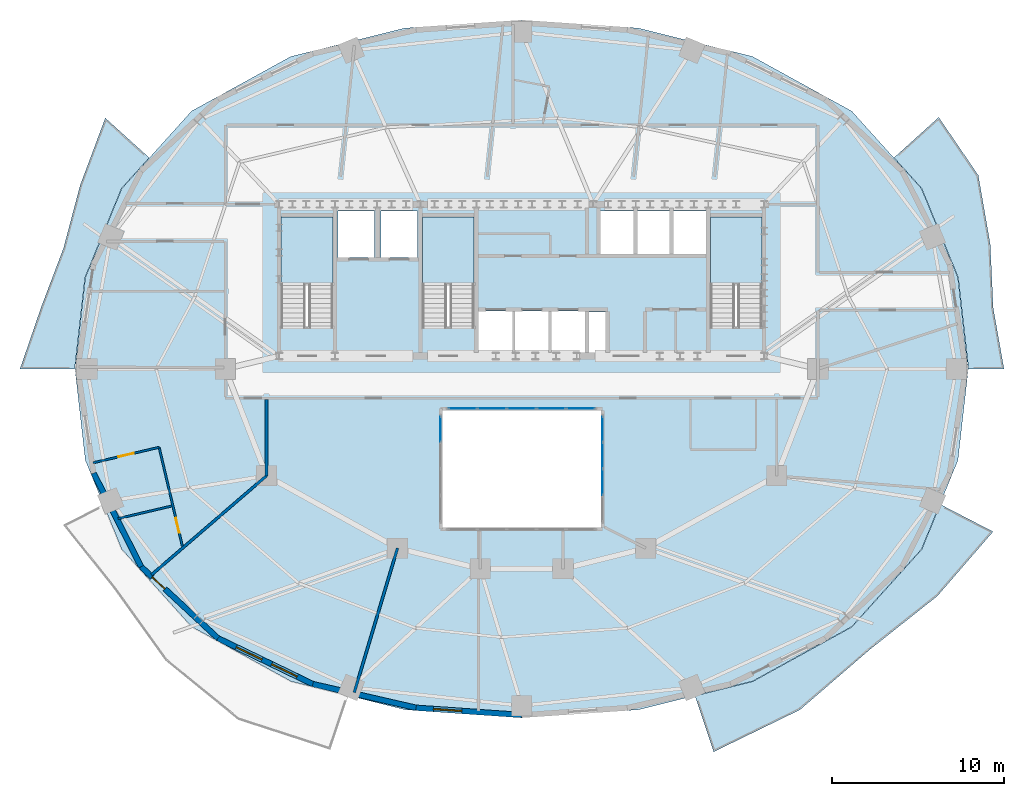
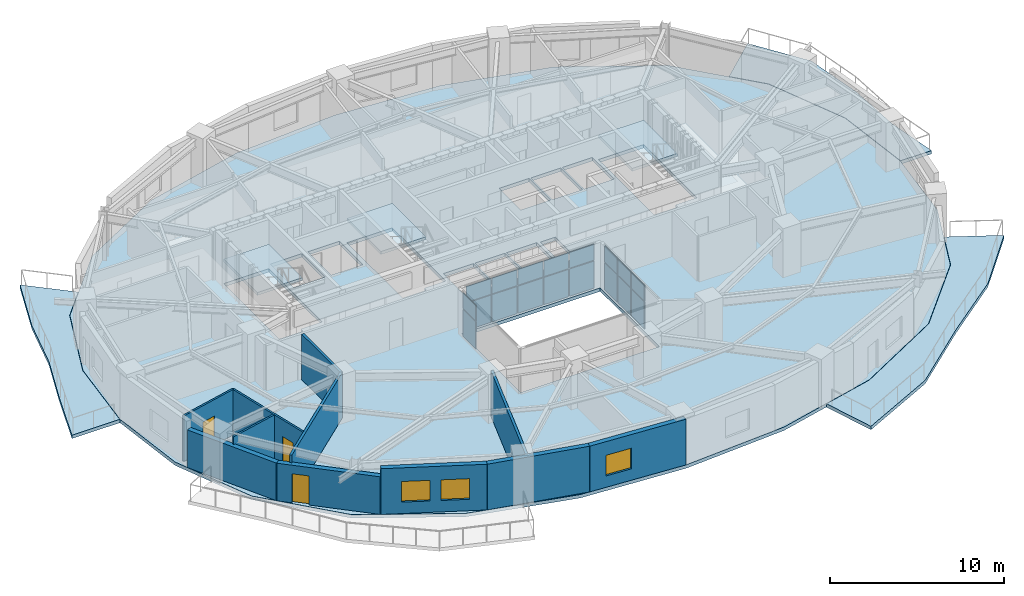
# One storey, part 5 of 13: 18 plates, 11 walls, 7 slabs, 3 doors, 3 windows, 6 openings, 6 elements without a shape of their own.
"""IFC4 building model written with IfcOpenShell, lengths in metres."""

from ifc_helpers import new_model, si_unit, direction, frame, frame_2d, origin, origin_2d, place, context, subcontext, project, spatial, polyline, rectangle, outline, extrude, material, layer, layer_set, type_object, element, fill, aggregate, save


model = new_model("IFC4")

# Units and contexts
model_context = context("Model", 3, precision=1e-05, world=origin(), true_north=direction((0.0, 1.0)))
body_context = subcontext(model_context, "Body", "Model", "MODEL_VIEW")
ifc_project = project(units=[si_unit("LENGTHUNIT", "METRE"), si_unit("AREAUNIT", "SQUARE_METRE"), si_unit("VOLUMEUNIT", "CUBIC_METRE"), si_unit("PLANEANGLEUNIT", "RADIAN"), si_unit("MASSUNIT", "GRAM", prefix="KILO")], contexts=[model_context])

# Site, building, storey
site_placement = place(None, origin())
site = spatial("IfcSite", under=ifc_project, at=site_placement, CompositionType="ELEMENT")
building_placement = place(site_placement, origin())
building = spatial("IfcBuilding", under=site, at=building_placement, Name="Haldorwick Loom Tower", CompositionType="ELEMENT")
storey_placement = place(building_placement, frame((0.0, 0.0, 178.60009765625)))
storey = spatial("IfcBuildingStorey", under=building, at=storey_placement, Name="L48", CompositionType="ELEMENT", Elevation=178.60009765625)

# Curtain wall, plates
ifc_material_1 = material(Name="Thermally Broken Anodized Aluminium Curtain Wall Framing", Category="aluminium")
curtain_wall_type = type_object("IfcCurtainWallType", Name="ARC-CW-03", PredefinedType="NOTDEFINED", material=ifc_material_1)
curtain_wall_1_placement = place(storey_placement, origin())
curtain_wall_1 = element("IfcCurtainWall", 1, at=curtain_wall_1_placement, inside=storey, type_object=curtain_wall_type, Name="L48 Atrium Glazed Screen N", PredefinedType="NOTDEFINED")
ifc_material_2 = material(Name="Triple-Glazed Low-E Argon Insulated Glazing Unit", Category="glass")
ifc_layer_1 = layer(ifc_material_2, 0.04296875, Name="Triple-Glazed Low-E Argon Insulated Glazing Unit", Category="glass")
ifc_layer_set_1 = layer_set([ifc_layer_1], Name="Triple-Glazed Low-E Argon Insulated Glazing Unit")
plate_type = type_object("IfcPlateType", Name="ARC-CWP-03", PredefinedType="CURTAIN_PANEL", material=ifc_layer_set_1)
plate_1_placement = place(storey_placement, frame((32.576416015625, 23.699951171875, 0.06591796875), z_axis=(0.0, 0.0, 1.0), x_axis=(1.0, 0.0, 0.0)))
plate_1 = element("IfcPlate", 2, at=plate_1_placement, type_object=plate_type, Name="CW-03 panel 1.1", PredefinedType="CURTAIN_PANEL", context=body_context, shape_type="SweptSolid", body=[
    extrude(rectangle(XDim=1.62109375, YDim=0.04296875, at=origin_2d()), origin(), (0.0, 0.0, 1.0), 1.90087890625),
])
plate_2_placement = place(storey_placement, frame((32.576416015625, 23.699951171875, 2.03271484375), z_axis=(0.0, 0.0, 1.0), x_axis=(1.0, 0.0, 0.0)))
plate_2 = element("IfcPlate", 3, at=plate_2_placement, type_object=plate_type, Name="CW-03 panel 1.2", PredefinedType="CURTAIN_PANEL", context=body_context, shape_type="SweptSolid", body=[
    extrude(rectangle(XDim=1.62109375, YDim=0.04296875, at=origin_2d()), origin(), (0.0, 0.0, 1.0), 1.111083984375),
])
plate_3_placement = place(storey_placement, frame((34.280029296875, 23.699951171875, 0.06591796875), z_axis=(0.0, 0.0, 1.0), x_axis=(1.0, 0.0, 0.0)))
plate_3 = element("IfcPlate", 4, at=plate_3_placement, type_object=plate_type, Name="CW-03 panel 2.1", PredefinedType="CURTAIN_PANEL", context=body_context, shape_type="SweptSolid", body=[
    extrude(rectangle(XDim=1.654052734375, YDim=0.04296875, at=origin_2d()), origin(), (0.0, 0.0, 1.0), 1.90087890625),
])
plate_4_placement = place(storey_placement, frame((34.280029296875, 23.699951171875, 2.03271484375), z_axis=(0.0, 0.0, 1.0), x_axis=(1.0, 0.0, 0.0)))
plate_4 = element("IfcPlate", 5, at=plate_4_placement, type_object=plate_type, Name="CW-03 panel 2.2", PredefinedType="CURTAIN_PANEL", context=body_context, shape_type="SweptSolid", body=[
    extrude(rectangle(XDim=1.654052734375, YDim=0.04296875, at=origin_2d()), origin(), (0.0, 0.0, 1.0), 1.111083984375),
])
plate_5_placement = place(storey_placement, frame((36.0, 23.699951171875, 0.06591796875), z_axis=(0.0, 0.0, 1.0), x_axis=(1.0, 0.0, 0.0)))
plate_5 = element("IfcPlate", 6, at=plate_5_placement, type_object=plate_type, Name="CW-03 panel 3.1", PredefinedType="CURTAIN_PANEL", context=body_context, shape_type="SweptSolid", body=[
    extrude(rectangle(XDim=1.654052734375, YDim=0.04296875, at=origin_2d()), origin(), (0.0, 0.0, 1.0), 1.90087890625),
])
plate_6_placement = place(storey_placement, frame((36.0, 23.699951171875, 2.03271484375), z_axis=(0.0, 0.0, 1.0), x_axis=(1.0, 0.0, 0.0)))
plate_6 = element("IfcPlate", 7, at=plate_6_placement, type_object=plate_type, Name="CW-03 panel 3.2", PredefinedType="CURTAIN_PANEL", context=body_context, shape_type="SweptSolid", body=[
    extrude(rectangle(XDim=1.654052734375, YDim=0.04296875, at=origin_2d()), origin(), (0.0, 0.0, 1.0), 1.111083984375),
])
plate_7_placement = place(storey_placement, frame((37.719970703125, 23.699951171875, 0.06591796875), z_axis=(0.0, 0.0, 1.0), x_axis=(1.0, 0.0, 0.0)))
plate_7 = element("IfcPlate", 8, at=plate_7_placement, type_object=plate_type, Name="CW-03 panel 4.1", PredefinedType="CURTAIN_PANEL", context=body_context, shape_type="SweptSolid", body=[
    extrude(rectangle(XDim=1.654052734375, YDim=0.04296875, at=origin_2d()), origin(), (0.0, 0.0, 1.0), 1.90087890625),
])
plate_8_placement = place(storey_placement, frame((37.719970703125, 23.699951171875, 2.03271484375), z_axis=(0.0, 0.0, 1.0), x_axis=(1.0, 0.0, 0.0)))
plate_8 = element("IfcPlate", 9, at=plate_8_placement, type_object=plate_type, Name="CW-03 panel 4.2", PredefinedType="CURTAIN_PANEL", context=body_context, shape_type="SweptSolid", body=[
    extrude(rectangle(XDim=1.654052734375, YDim=0.04296875, at=origin_2d()), origin(), (0.0, 0.0, 1.0), 1.111083984375),
])
plate_9_placement = place(storey_placement, frame((39.423583984375, 23.699951171875, 0.06591796875), z_axis=(0.0, 0.0, 1.0), x_axis=(1.0, 0.0, 0.0)))
plate_9 = element("IfcPlate", 10, at=plate_9_placement, type_object=plate_type, Name="CW-03 panel 5.1", PredefinedType="CURTAIN_PANEL", context=body_context, shape_type="SweptSolid", body=[
    extrude(rectangle(XDim=1.62109375, YDim=0.04296875, at=origin_2d()), origin(), (0.0, 0.0, 1.0), 1.90087890625),
])
plate_10_placement = place(storey_placement, frame((39.423583984375, 23.699951171875, 2.03271484375), z_axis=(0.0, 0.0, 1.0), x_axis=(1.0, 0.0, 0.0)))
plate_10 = element("IfcPlate", 11, at=plate_10_placement, type_object=plate_type, Name="CW-03 panel 5.2", PredefinedType="CURTAIN_PANEL", context=body_context, shape_type="SweptSolid", body=[
    extrude(rectangle(XDim=1.62109375, YDim=0.04296875, at=origin_2d()), origin(), (0.0, 0.0, 1.0), 1.111083984375),
])
aggregate(curtain_wall_1, [plate_1, plate_2, plate_3, plate_4, plate_5, plate_6, plate_7, plate_8, plate_9, plate_10])

curtain_wall_2_placement = place(storey_placement, origin())
curtain_wall_2 = element("IfcCurtainWall", 12, at=curtain_wall_2_placement, inside=storey, type_object=curtain_wall_type, Name="L48 Atrium Glazed Screen W", PredefinedType="NOTDEFINED")
plate_11_placement = place(storey_placement, frame((31.300048828125, 22.508544921875, 0.06591796875), z_axis=(0.0, 0.0, 1.0), x_axis=(0.0, 1.0, 0.0)))
plate_11 = element("IfcPlate", 13, at=plate_11_placement, type_object=plate_type, Name="CW-03 panel 4.1", PredefinedType="CURTAIN_PANEL", context=body_context, shape_type="SweptSolid", body=[
    extrude(rectangle(XDim=1.450927734375, YDim=0.04296875, at=origin_2d()), origin(), (0.0, 0.0, 1.0), 1.90087890625),
])
plate_12_placement = place(storey_placement, frame((31.300048828125, 22.508544921875, 2.03271484375), z_axis=(0.0, 0.0, 1.0), x_axis=(0.0, 1.0, 0.0)))
plate_12 = element("IfcPlate", 14, at=plate_12_placement, type_object=plate_type, Name="CW-03 panel 4.2", PredefinedType="CURTAIN_PANEL", context=body_context, shape_type="SweptSolid", body=[
    extrude(rectangle(XDim=1.450927734375, YDim=0.04296875, at=origin_2d()), origin(), (0.0, 0.0, 1.0), 1.111083984375),
])
aggregate(curtain_wall_2, [plate_11, plate_12])

curtain_wall_3_placement = place(storey_placement, origin())
curtain_wall_3 = element("IfcCurtainWall", 15, at=curtain_wall_3_placement, inside=storey, type_object=curtain_wall_type, Name="L48 Atrium Glazed Screen E", PredefinedType="NOTDEFINED")
plate_13_placement = place(storey_placement, frame((40.699951171875, 22.508544921875, 0.06591796875), z_axis=(0.0, 0.0, 1.0), x_axis=(0.0, -1.0, 0.0)))
plate_13 = element("IfcPlate", 16, at=plate_13_placement, type_object=plate_type, Name="CW-03 panel 1.1", PredefinedType="CURTAIN_PANEL", context=body_context, shape_type="SweptSolid", body=[
    extrude(rectangle(XDim=1.450927734375, YDim=0.04296875, at=origin_2d()), origin(), (0.0, 0.0, 1.0), 1.90087890625),
])
plate_14_placement = place(storey_placement, frame((40.699951171875, 22.508544921875, 2.03271484375), z_axis=(0.0, 0.0, 1.0), x_axis=(0.0, -1.0, 0.0)))
plate_14 = element("IfcPlate", 17, at=plate_14_placement, type_object=plate_type, Name="CW-03 panel 1.2", PredefinedType="CURTAIN_PANEL", context=body_context, shape_type="SweptSolid", body=[
    extrude(rectangle(XDim=1.450927734375, YDim=0.04296875, at=origin_2d()), origin(), (0.0, 0.0, 1.0), 1.111083984375),
])
plate_15_placement = place(storey_placement, frame((40.699951171875, 20.97509765625, 0.06591796875), z_axis=(0.0, 0.0, 1.0), x_axis=(0.0, -1.0, 0.0)))
plate_15 = element("IfcPlate", 18, at=plate_15_placement, type_object=plate_type, Name="CW-03 panel 2.1", PredefinedType="CURTAIN_PANEL", context=body_context, shape_type="SweptSolid", body=[
    extrude(rectangle(XDim=1.48388671875, YDim=0.04296875, at=origin_2d()), origin(), (0.0, 0.0, 1.0), 1.90087890625),
])
plate_16_placement = place(storey_placement, frame((40.699951171875, 20.97509765625, 2.03271484375), z_axis=(0.0, 0.0, 1.0), x_axis=(0.0, -1.0, 0.0)))
plate_16 = element("IfcPlate", 19, at=plate_16_placement, type_object=plate_type, Name="CW-03 panel 2.2", PredefinedType="CURTAIN_PANEL", context=body_context, shape_type="SweptSolid", body=[
    extrude(rectangle(XDim=1.48388671875, YDim=0.04296875, at=origin_2d()), origin(), (0.0, 0.0, 1.0), 1.111083984375),
])
plate_17_placement = place(storey_placement, frame((40.699951171875, 19.425048828125, 0.06591796875), z_axis=(0.0, 0.0, 1.0), x_axis=(0.0, -1.0, 0.0)))
plate_17 = element("IfcPlate", 20, at=plate_17_placement, type_object=plate_type, Name="CW-03 panel 3.1", PredefinedType="CURTAIN_PANEL", context=body_context, shape_type="SweptSolid", body=[
    extrude(rectangle(XDim=1.48388671875, YDim=0.04296875, at=origin_2d()), origin(), (0.0, 0.0, 1.0), 1.90087890625),
])
plate_18_placement = place(storey_placement, frame((40.699951171875, 19.425048828125, 2.03271484375), z_axis=(0.0, 0.0, 1.0), x_axis=(0.0, -1.0, 0.0)))
plate_18 = element("IfcPlate", 21, at=plate_18_placement, type_object=plate_type, Name="CW-03 panel 3.2", PredefinedType="CURTAIN_PANEL", context=body_context, shape_type="SweptSolid", body=[
    extrude(rectangle(XDim=1.48388671875, YDim=0.04296875, at=origin_2d()), origin(), (0.0, 0.0, 1.0), 1.111083984375),
])
aggregate(curtain_wall_3, [plate_13, plate_14, plate_15, plate_16, plate_17, plate_18])

# Slabs
ifc_material_3 = material(Name="Concrete C40 (40 MPa)", Category="concrete")
ifc_layer_2 = layer(ifc_material_3, 0.239990234375, Name="Concrete C40 (40 MPa)", Category="concrete")
ifc_layer_set_2 = layer_set([ifc_layer_2], Name="Concrete C40 (40 MPa)")
slab_type_1 = type_object("IfcSlabType", Name="STR-SLB-BAL240", PredefinedType="FLOOR", material=ifc_layer_set_2)
slab_1_placement = place(storey_placement, frame((0.0, 0.0, -0.239990234375)))
element("IfcSlab", 22, at=slab_1_placement, inside=storey, type_object=slab_type_1, Name="L48 Sinusoidal Balcony Terrace BAL_SE", PredefinedType="FLOOR", context=body_context, shape_type="SweptSolid", body=[
    extrude(outline(polyline([(60.2841796875, 18.141357421875), (59.216064453125, 15.530517578125), (59.21533203125, 15.529296875), (59.21484375, 15.528076171875), (59.214111328125, 15.527099609375), (59.213134765625, 15.526123046875), (55.16162109375, 11.031005859375), (55.16064453125, 11.02978515625), (55.1591796875, 11.028564453125), (55.15771484375, 11.02783203125), (49.40283203125, 7.863037109375), (49.40185546875, 7.8623046875), (49.400634765625, 7.86181640625), (49.3994140625, 7.861572265625), (46.05908203125, 7.027587890625), (47.1416015625, 3.783447265625), (52.1513671875, 6.222412109375), (56.19189453125, 9.707763671875), (60.12548828125, 12.824951171875), (63.35400390625, 16.555908203125), (60.2841796875, 18.141357421875)])), origin(), (0.0, 0.0, 1.0), 0.239990234375),
])
slab_2_placement = place(storey_placement, frame((0.0, 0.0, -0.239990234375)))
element("IfcSlab", 23, at=slab_2_placement, inside=storey, type_object=slab_type_1, Name="L48 Sinusoidal Balcony Terrace BAL_WNW", PredefinedType="FLOOR", context=body_context, shape_type="SweptSolid", body=[
    extrude(outline(polyline([(10.068115234375, 26.0), (10.068115234375, 26.001708984375), (10.669677734375, 31.30029296875), (10.669921875, 31.3017578125), (10.670166015625, 31.302978515625), (10.670654296875, 31.30419921875), (12.783935546875, 36.469482421875), (12.78466796875, 36.470703125), (12.78515625, 36.4716796875), (12.785888671875, 36.472900390625), (12.786865234375, 36.473876953125), (14.390380859375, 38.25341796875), (11.8447265625, 40.55517578125), (10.38623046875, 36.66259765625), (9.417236328125, 32.998291015625), (8.13720703125, 29.617431640625), (6.89453125, 26.0), (10.068115234375, 26.0)])), origin(), (0.0, 0.0, 1.0), 0.239990234375),
])
slab_3_placement = place(storey_placement, frame((0.0, 0.0, -0.239990234375)))
element("IfcSlab", 24, at=slab_3_placement, inside=storey, type_object=slab_type_1, Name="L48 Sinusoidal Balcony Terrace BAL_ENE", PredefinedType="FLOOR", context=body_context, shape_type="SweptSolid", body=[
    extrude(outline(polyline([(57.609619140625, 38.25341796875), (59.213134765625, 36.473876953125), (59.214111328125, 36.472900390625), (59.21484375, 36.4716796875), (59.21533203125, 36.470703125), (59.216064453125, 36.469482421875), (61.329345703125, 31.30419921875), (61.329833984375, 31.302978515625), (61.330078125, 31.3017578125), (61.330322265625, 31.30029296875), (61.931884765625, 26.001708984375), (61.931884765625, 26.0), (63.988525390625, 26.0), (63.36572265625, 29.5166015625), (63.18896484375, 33.25048828125), (62.494384765625, 37.237060546875), (60.2001953125, 40.59716796875), (57.609619140625, 38.25341796875)])), origin(), (0.0, 0.0, 1.0), 0.239990234375),
])

# Stair, slab
stair_type = type_object("IfcStairType", Name="STR-STR-CORE", PredefinedType="HALF_TURN_STAIR", material=ifc_material_3)
stair_1_placement = place(storey_placement, origin())
stair_1 = element("IfcStair", 25, at=stair_1_placement, inside=storey, type_object=stair_type, Name="L48 Exit Stair ST-01", PredefinedType="HALF_TURN_STAIR")
ifc_layer_3 = layer(ifc_material_3, 0.199951171875, Name="Concrete C40 (40 MPa)", Category="concrete")
ifc_layer_set_3 = layer_set([ifc_layer_3], Name="Concrete C40 (40 MPa)")
slab_type_2 = type_object("IfcSlabType", Name="STR-SLB-LAND200", PredefinedType="LANDING", material=ifc_layer_set_3)
slab_4_placement = place(storey_placement, frame((0.0, 0.0, 1.52490234375)))
slab_4 = element("IfcSlab", 26, at=slab_4_placement, type_object=slab_type_2, Name="ST-01 landing 1", PredefinedType="LANDING", context=body_context, shape_type="SweptSolid", body=[
    extrude(outline(polyline([(25.050048828125, 30.919921875), (25.050048828125, 34.800048828125), (22.050048828125, 34.800048828125), (22.050048828125, 30.919921875), (25.050048828125, 30.919921875)])), origin(), (0.0, 0.0, 1.0), 0.199951171875),
])
aggregate(stair_1, [slab_4])

stair_2_placement = place(storey_placement, origin())
stair_2 = element("IfcStair", 27, at=stair_2_placement, inside=storey, type_object=stair_type, Name="L48 Exit Stair ST-02", PredefinedType="HALF_TURN_STAIR")
slab_5_placement = place(storey_placement, frame((0.0, 0.0, 1.52490234375)))
slab_5 = element("IfcSlab", 28, at=slab_5_placement, type_object=slab_type_2, Name="ST-02 landing 1", PredefinedType="LANDING", context=body_context, shape_type="SweptSolid", body=[
    extrude(outline(polyline([(49.949951171875, 30.919921875), (49.949951171875, 34.800048828125), (46.949951171875, 34.800048828125), (46.949951171875, 30.919921875), (49.949951171875, 30.919921875)])), origin(), (0.0, 0.0, 1.0), 0.199951171875),
])
aggregate(stair_2, [slab_5])

stair_3_placement = place(storey_placement, origin())
stair_3 = element("IfcStair", 29, at=stair_3_placement, inside=storey, type_object=stair_type, Name="L48 Exit Stair ST-03", PredefinedType="HALF_TURN_STAIR")
slab_6_placement = place(storey_placement, frame((0.0, 0.0, 1.52490234375)))
slab_6 = element("IfcSlab", 30, at=slab_6_placement, type_object=slab_type_2, Name="ST-03 landing 1", PredefinedType="LANDING", context=body_context, shape_type="SweptSolid", body=[
    extrude(outline(polyline([(33.25, 30.919921875), (33.25, 34.800048828125), (30.25, 34.800048828125), (30.25, 30.919921875), (33.25, 30.919921875)])), origin(), (0.0, 0.0, 1.0), 0.199951171875),
])
aggregate(stair_3, [slab_6])

# Slab
ifc_layer_4 = layer(ifc_material_3, 0.239990234375, Name="Concrete C40 (40 MPa)", Category="concrete")
ifc_layer_set_4 = layer_set([ifc_layer_4], Name="Concrete C40 (40 MPa)")
slab_type_3 = type_object("IfcSlabType", Name="STR-SLB-RES240", PredefinedType="FLOOR", material=ifc_layer_set_4)
slab_7_placement = place(storey_placement, frame((0.0, 0.0, -0.239990234375)))
element("IfcSlab", 31, at=slab_7_placement, inside=storey, type_object=slab_type_3, Name="L48 Residential Structural Floor Slab", PredefinedType="FLOOR", context=body_context, shape_type="SweptSolid", body=[
    extrude(outline(polyline([(55.150634765625, 11.041015625), (59.2021484375, 15.5361328125), (61.3154296875, 20.701416015625), (61.9169921875, 26.0), (61.3154296875, 31.298583984375), (59.2021484375, 36.4638671875), (55.150634765625, 40.958984375), (49.395751953125, 44.123779296875), (42.783203125, 45.774658203125), (36.0, 46.24462890625), (29.216796875, 45.774658203125), (22.604248046875, 44.123779296875), (16.849365234375, 40.958984375), (12.7978515625, 36.4638671875), (10.6845703125, 31.298583984375), (10.0830078125, 26.0), (10.6845703125, 20.701416015625), (12.7978515625, 15.5361328125), (16.849365234375, 11.041015625), (22.604248046875, 7.876220703125), (29.216796875, 6.225341796875), (36.0, 5.75537109375), (42.783203125, 6.225341796875), (49.395751953125, 7.876220703125), (55.150634765625, 11.041015625)]), holes=[polyline([(31.39990234375, 16.800048828125), (31.39990234375, 23.60009765625), (40.60009765625, 23.60009765625), (40.60009765625, 16.800048828125), (31.39990234375, 16.800048828125)]), polyline([(33.5, 26.85009765625), (33.5, 29.35009765625), (35.5, 29.35009765625), (35.5, 26.85009765625), (33.5, 26.85009765625)]), polyline([(35.60009765625, 26.85009765625), (35.60009765625, 29.35009765625), (37.60009765625, 29.35009765625), (37.60009765625, 26.85009765625), (35.60009765625, 26.85009765625)]), polyline([(23.6201171875, 28.39990234375), (22.050048828125, 28.39990234375), (22.050048828125, 34.800048828125), (25.050048828125, 34.800048828125), (25.050048828125, 28.639892578125), (23.6201171875, 28.639892578125), (23.6201171875, 28.39990234375)]), polyline([(30.25, 28.39990234375), (30.25, 34.800048828125), (33.25, 34.800048828125), (33.25, 28.639892578125), (31.820068359375, 28.639892578125), (31.820068359375, 28.39990234375), (30.25, 28.39990234375)]), polyline([(25.35009765625, 32.449951171875), (25.35009765625, 35.14990234375), (27.449951171875, 35.14990234375), (27.449951171875, 32.449951171875), (25.35009765625, 32.449951171875)]), polyline([(29.949951171875, 32.449951171875), (27.85009765625, 32.449951171875), (27.85009765625, 35.14990234375), (29.949951171875, 35.14990234375), (29.949951171875, 32.449951171875)]), polyline([(37.699951171875, 26.85009765625), (37.699951171875, 29.35009765625), (39.699951171875, 29.35009765625), (39.699951171875, 26.85009765625), (37.699951171875, 26.85009765625)]), polyline([(39.89990234375, 26.89990234375), (39.89990234375, 29.300048828125), (40.89990234375, 29.300048828125), (40.89990234375, 26.89990234375), (39.89990234375, 26.89990234375)]), polyline([(46.949951171875, 28.39990234375), (46.949951171875, 34.800048828125), (49.949951171875, 34.800048828125), (49.949951171875, 28.639892578125), (48.52001953125, 28.639892578125), (48.52001953125, 28.39990234375), (46.949951171875, 28.39990234375)]), polyline([(40.550048828125, 32.64990234375), (40.550048828125, 35.14990234375), (42.550048828125, 35.14990234375), (42.550048828125, 32.64990234375), (40.550048828125, 32.64990234375)]), polyline([(42.64990234375, 32.64990234375), (42.64990234375, 35.14990234375), (44.64990234375, 35.14990234375), (44.64990234375, 32.64990234375), (42.64990234375, 32.64990234375)]), polyline([(44.75, 32.64990234375), (44.75, 35.14990234375), (46.75, 35.14990234375), (46.75, 32.64990234375), (44.75, 32.64990234375)])]), origin(), (0.0, 0.0, 1.0), 0.239990234375),
])

# Wall
ifc_material_4 = material(Name="Pressed Clay Face Brick and Insulated Masonry Backup Assembly", Category="masonry")
ifc_layer_5 = layer(ifc_material_4, 0.320068359375, Name="Pressed Clay Face Brick and Insulated Masonry Backup Assembly", Category="masonry")
ifc_layer_set_5 = layer_set([ifc_layer_5], Name="Pressed Clay Face Brick and Insulated Masonry Backup Assembly")
wall_type_1 = type_object("IfcWallType", Name="ARC-WL-EXT320", PredefinedType="STANDARD", material=ifc_layer_set_5)
wall_1_placement = place(storey_placement, frame((11.1650390625, 19.944580078125, 0.0), z_axis=(0.0, 0.0, 1.0), x_axis=(0.453172129629, -0.89142303141, 0.0)))
element("IfcWall", 32, at=wall_1_placement, inside=storey, type_object=wall_type_1, Name="L48 Brick Pier and Spandrel Wall 14", PredefinedType="STANDARD", context=body_context, shape_type="SweptSolid", body=[
    extrude(rectangle(XDim=6.086669921875, YDim=0.320068359375, at=frame_2d((3.04345703125, 0.0))), origin(), (0.0, 0.0, 1.0), 2.640869140625),
])

# Wall, opening, door
wall_2_placement = place(storey_placement, frame((13.92333984375, 14.518798828125, 0.0), z_axis=(0.0, 0.0, 1.0), x_axis=(0.732001571644, -0.681302942244, 0.0)))
wall_2 = element("IfcWall", 33, at=wall_2_placement, inside=storey, type_object=wall_type_1, Name="L48 Brick Pier and Spandrel Wall 15", PredefinedType="STANDARD", context=body_context, shape_type="SweptSolid", body=[
    extrude(rectangle(XDim=6.0869140625, YDim=0.320068359375, at=frame_2d((3.04345703125, 0.0))), origin(), (0.0, 0.0, 1.0), 2.640869140625),
])
opening_1_placement = place(wall_2_placement, frame((0.88330078125, 0.0, 0.0)))
opening_1 = element("IfcOpeningElement", 34, at=opening_1_placement, cuts=wall_2, Name="Opening D-BL10", PredefinedType="OPENING", context=body_context, shape_type="SweptSolid", body=[
    extrude(rectangle(XDim=1.0, YDim=2.0400390625, at=frame_2d((0.5, 1.02001953125))), frame((0.0, 0.169921875, 0.0), z_axis=(0.0, -1.0, 0.0), x_axis=(1.0, 0.0, 0.0)), (0.0, 0.0, 1.0), 0.340087890625),
])
door_type_1 = type_object("IfcDoorType", Name="ARC-DR-BAL100", OperationType="NOTDEFINED", PredefinedType="DOOR", material=ifc_material_1)
door_1_placement = place(opening_1_placement, origin())
door_1 = element("IfcDoor", 35, at=door_1_placement, inside=storey, type_object=door_type_1, Name="L48 Outdoor Terrace Door SLB-L48-BAL_SW", OperationType="SINGLE_SWING_LEFT", OverallHeight=2.0400390625, OverallWidth=1.0, PredefinedType="DOOR", context=body_context, shape_type="SweptSolid", body=[
    extrude(rectangle(XDim=1.0, YDim=2.0400390625, at=frame_2d((0.5, 1.02001953125))), frame((0.0, 0.02490234375, 0.0), z_axis=(0.0, -1.0, 0.0), x_axis=(1.0, 0.0, 0.0)), (0.0, 0.0, 1.0), 0.050048828125),
])
fill(opening_1, door_1)

# Wall, openings, windows
wall_3_placement = place(storey_placement, frame((18.37890625, 10.371826171875, 0.0), z_axis=(0.0, 0.0, 1.0), x_axis=(0.900472429216, -0.43491309962, 0.0)))
wall_3 = element("IfcWall", 36, at=wall_3_placement, inside=storey, type_object=wall_type_1, Name="L48 Brick Pier and Spandrel Wall 16", PredefinedType="STANDARD", context=body_context, shape_type="SweptSolid", body=[
    extrude(rectangle(XDim=6.1181640625, YDim=0.320068359375, at=frame_2d((3.05908203125, 0.0))), origin(), (0.0, 0.0, 1.0), 3.2099609375),
])
opening_2_placement = place(wall_3_placement, frame((1.181884765625, 0.0, 0.800048828125)))
opening_2 = element("IfcOpeningElement", 37, at=opening_2_placement, cuts=wall_3, Name="Opening W-01B", PredefinedType="OPENING", context=body_context, shape_type="SweptSolid", body=[
    extrude(rectangle(XDim=1.64990234375, YDim=1.449951171875, at=frame_2d((0.824951171875, 0.72509765625))), frame((0.0, 0.169921875, 0.0), z_axis=(0.0, -1.0, 0.0), x_axis=(1.0, 0.0, 0.0)), (0.0, 0.0, 1.0), 0.340087890625),
])
opening_3_placement = place(wall_3_placement, frame((3.4580078125, 0.0, 0.800048828125)))
opening_3 = element("IfcOpeningElement", 38, at=opening_3_placement, cuts=wall_3, Name="Opening W-01B", PredefinedType="OPENING", context=body_context, shape_type="SweptSolid", body=[
    extrude(rectangle(XDim=1.64990234375, YDim=1.449951171875, at=frame_2d((0.824951171875, 0.72509765625))), frame((0.0, 0.169921875, 0.0), z_axis=(0.0, -1.0, 0.0), x_axis=(1.0, 0.0, 0.0)), (0.0, 0.0, 1.0), 0.340087890625),
])
window_type = type_object("IfcWindowType", Name="ARC-WIN-W165", PartitioningType="SINGLE_PANEL", PredefinedType="WINDOW", material=ifc_material_2)
window_1_placement = place(opening_2_placement, origin())
window_1 = element("IfcWindow", 39, at=window_1_placement, inside=storey, type_object=window_type, Name="L48 Deep-Set Zone 7A Window 16", OverallHeight=1.449951171875, OverallWidth=1.64990234375, PartitioningType="SINGLE_PANEL", PredefinedType="WINDOW", context=body_context, shape_type="SweptSolid", body=[
    extrude(rectangle(XDim=1.64990234375, YDim=1.449951171875, at=frame_2d((0.824951171875, 0.72509765625))), frame((0.0, 0.030029296875, 0.0), z_axis=(0.0, -1.0, 0.0), x_axis=(1.0, 0.0, 0.0)), (0.0, 0.0, 1.0), 0.06005859375),
])
fill(opening_2, window_1)
window_2_placement = place(opening_3_placement, origin())
window_2 = element("IfcWindow", 40, at=window_2_placement, inside=storey, type_object=window_type, Name="L48 Deep-Set Zone 7A Window 16", OverallHeight=1.449951171875, OverallWidth=1.64990234375, PartitioningType="SINGLE_PANEL", PredefinedType="WINDOW", context=body_context, shape_type="SweptSolid", body=[
    extrude(rectangle(XDim=1.64990234375, YDim=1.449951171875, at=frame_2d((0.824951171875, 0.72509765625))), frame((0.0, 0.030029296875, 0.0), z_axis=(0.0, -1.0, 0.0), x_axis=(1.0, 0.0, 0.0)), (0.0, 0.0, 1.0), 0.06005859375),
])
fill(opening_3, window_2)

# Wall
wall_4_placement = place(storey_placement, frame((23.88818359375, 7.7109375, 0.0), z_axis=(0.0, 0.0, 1.0), x_axis=(0.974593223547, -0.223982250674, 0.0)))
element("IfcWall", 41, at=wall_4_placement, inside=storey, type_object=wall_type_1, Name="L48 Brick Pier and Spandrel Wall 17", PredefinedType="STANDARD", context=body_context, shape_type="SweptSolid", body=[
    extrude(rectangle(XDim=6.138916015625, YDim=0.320068359375, at=frame_2d((3.0693359375, 0.0))), origin(), (0.0, 0.0, 1.0), 3.2099609375),
])

# Wall, opening, window
wall_5_placement = place(storey_placement, frame((29.87109375, 6.3359375, 0.0), z_axis=(0.0, 0.0, 1.0), x_axis=(0.997652942988, -0.068473391522, 0.0)))
wall_5 = element("IfcWall", 42, at=wall_5_placement, inside=storey, type_object=wall_type_1, Name="L48 Brick Pier and Spandrel Wall 18", PredefinedType="STANDARD", context=body_context, shape_type="SweptSolid", body=[
    extrude(rectangle(XDim=6.143310546875, YDim=0.320068359375, at=frame_2d((3.07177734375, 0.0))), origin(), (0.0, 0.0, 1.0), 3.2099609375),
])
opening_4_placement = place(wall_5_placement, frame((1.01806640625, 0.0, 0.800048828125)))
opening_4 = element("IfcOpeningElement", 43, at=opening_4_placement, cuts=wall_5, Name="Opening W-01B", PredefinedType="OPENING", context=body_context, shape_type="SweptSolid", body=[
    extrude(rectangle(XDim=1.64990234375, YDim=1.449951171875, at=frame_2d((0.824951171875, 0.72509765625))), frame((0.0, 0.169921875, 0.0), z_axis=(0.0, -1.0, 0.0), x_axis=(1.0, 0.0, 0.0)), (0.0, 0.0, 1.0), 0.340087890625),
])
window_3_placement = place(opening_4_placement, origin())
window_3 = element("IfcWindow", 44, at=window_3_placement, inside=storey, type_object=window_type, Name="L48 Deep-Set Zone 7A Window 18", OverallHeight=1.449951171875, OverallWidth=1.64990234375, PartitioningType="SINGLE_PANEL", PredefinedType="WINDOW", context=body_context, shape_type="SweptSolid", body=[
    extrude(rectangle(XDim=1.64990234375, YDim=1.449951171875, at=frame_2d((0.824951171875, 0.72509765625))), frame((0.0, 0.030029296875, 0.0), z_axis=(0.0, -1.0, 0.0), x_axis=(1.0, 0.0, 0.0)), (0.0, 0.0, 1.0), 0.06005859375),
])
fill(opening_4, window_3)

# Walls
ifc_material_5 = material(Name="Fire-Rated Type X Gypsum Stud Assembly EI 60")
ifc_layer_6 = layer(ifc_material_5, 0.159912109375, Name="Fire-Rated Type X Gypsum Stud Assembly EI 60")
ifc_layer_set_6 = layer_set([ifc_layer_6], Name="Fire-Rated Type X Gypsum Stud Assembly EI 60")
wall_type_2 = type_object("IfcWallType", Name="ARC-WL-FIRE160", PredefinedType="PARTITIONING", material=ifc_layer_set_6)
wall_6_placement = place(storey_placement, frame((28.800048828125, 15.60009765625, 0.0), z_axis=(0.0, 0.0, 1.0), x_axis=(-0.287271025091, -0.957849340003, 0.0)))
element("IfcWall", 45, at=wall_6_placement, inside=storey, type_object=wall_type_2, Name="L48 Residential Fire Partition L48-ICR-08", PredefinedType="PARTITIONING", context=body_context, shape_type="SweptSolid", body=[
    extrude(rectangle(XDim=8.742431640625, YDim=0.159912109375, at=frame_2d((4.37109375, 0.0))), origin(), (0.0, 0.0, 1.0), 3.19482421875),
])
wall_7_placement = place(storey_placement, frame((21.199951171875, 19.800048828125, 0.0), z_axis=(0.0, 0.0, 1.0), x_axis=(-0.757797722251, -0.652489549457, 0.0)))
element("IfcWall", 46, at=wall_7_placement, inside=storey, type_object=wall_type_2, Name="L48 Residential Fire Partition L48-ICR-10", PredefinedType="PARTITIONING", context=body_context, shape_type="SweptSolid", body=[
    extrude(rectangle(XDim=8.81201171875, YDim=0.159912109375, at=frame_2d((4.406005859375, 0.0))), origin(), (0.0, 0.0, 1.0), 3.19482421875),
])
wall_8_placement = place(storey_placement, frame((21.199951171875, 24.217041015625, 0.0), z_axis=(0.0, 0.0, 1.0), x_axis=(0.0, -1.0, 0.0)))
element("IfcWall", 47, at=wall_8_placement, inside=storey, type_object=wall_type_2, Name="L48 Residential Fire Partition L48-ICA-09", PredefinedType="PARTITIONING", context=body_context, shape_type="SweptSolid", body=[
    extrude(rectangle(XDim=4.4169921875, YDim=0.159912109375, at=frame_2d((2.20849609375, 0.0))), origin(), (0.0, 0.0, 1.0), 3.19482421875),
])

# Wall, opening, door
ifc_material_6 = material(Name="Acoustic Gypsum Stud Assembly STC 55")
ifc_layer_7 = layer(ifc_material_6, 0.1201171875, Name="Acoustic Gypsum Stud Assembly STC 55")
ifc_layer_set_7 = layer_set([ifc_layer_7], Name="Acoustic Gypsum Stud Assembly STC 55")
wall_type_3 = type_object("IfcWallType", Name="ARC-WL-PART120", PredefinedType="PARTITIONING", material=ifc_layer_set_7)
wall_9_placement = place(storey_placement, frame((14.967529296875, 21.45166015625, 0.0), z_axis=(0.0, 0.0, 1.0), x_axis=(0.22877880637, -0.973478432096, 0.0)))
wall_9 = element("IfcWall", 48, at=wall_9_placement, inside=storey, type_object=wall_type_3, Name="L48 Unit 48E Interior Partition", PredefinedType="PARTITIONING", context=body_context, shape_type="SweptSolid", body=[
    extrude(rectangle(XDim=5.90234375, YDim=0.1201171875, at=frame_2d((2.951171875, 0.0))), origin(), (0.0, 0.0, 1.0), 3.19482421875),
])
opening_5_placement = place(wall_9_placement, frame((4.2138671875, 0.0, 0.0)))
opening_5 = element("IfcOpeningElement", 49, at=opening_5_placement, cuts=wall_9, Name="Opening D-BT88", PredefinedType="OPENING", context=body_context, shape_type="SweptSolid", body=[
    extrude(rectangle(XDim=0.8798828125, YDim=2.02001953125, at=frame_2d((0.43994140625, 1.010009765625))), frame((0.0, 0.070068359375, 0.0), z_axis=(0.0, -1.0, 0.0), x_axis=(1.0, 0.0, 0.0)), (0.0, 0.0, 1.0), 0.14013671875),
])
ifc_material_7 = material(Name="Solid Core Birch Architectural Door")
door_type_2 = type_object("IfcDoorType", Name="ARC-DR-BATH88", OperationType="NOTDEFINED", PredefinedType="DOOR", material=ifc_material_7)
door_2_placement = place(opening_5_placement, origin())
door_2 = element("IfcDoor", 50, at=door_2_placement, inside=storey, type_object=door_type_2, Name="L48 Unit 48E Kitchen and Living Room to Unit 48E Bathroom Door", OperationType="SINGLE_SWING_LEFT", OverallHeight=2.02001953125, OverallWidth=0.8798828125, PredefinedType="DOOR", context=body_context, shape_type="SweptSolid", body=[
    extrude(rectangle(XDim=0.8798828125, YDim=2.02001953125, at=frame_2d((0.43994140625, 1.010009765625))), frame((0.0, 0.02490234375, 0.0), z_axis=(0.0, -1.0, 0.0), x_axis=(1.0, 0.0, 0.0)), (0.0, 0.0, 1.0), 0.050048828125),
])
fill(opening_5, door_2)

wall_10_placement = place(storey_placement, frame((14.967529296875, 21.45166015625, 0.0), z_axis=(0.0, 0.0, 1.0), x_axis=(-0.97349119329, -0.228724499316, 0.0)))
wall_10 = element("IfcWall", 51, at=wall_10_placement, inside=storey, type_object=wall_type_3, Name="L48 Unit 48E Interior Partition", PredefinedType="PARTITIONING", context=body_context, shape_type="SweptSolid", body=[
    extrude(rectangle(XDim=3.933349609375, YDim=0.1201171875, at=frame_2d((1.966796875, 0.0))), origin(), (0.0, 0.0, 1.0), 3.19482421875),
])
opening_6_placement = place(wall_10_placement, frame((1.5166015625, 0.0, 0.0)))
opening_6 = element("IfcOpeningElement", 52, at=opening_6_placement, cuts=wall_10, Name="Opening D-IN90", PredefinedType="OPENING", context=body_context, shape_type="SweptSolid", body=[
    extrude(rectangle(XDim=0.89990234375, YDim=2.0400390625, at=frame_2d((0.449951171875, 1.02001953125))), frame((0.0, 0.070068359375, 0.0), z_axis=(0.0, -1.0, 0.0), x_axis=(1.0, 0.0, 0.0)), (0.0, 0.0, 1.0), 0.14013671875),
])
door_type_3 = type_object("IfcDoorType", Name="ARC-DR-INT90", OperationType="NOTDEFINED", PredefinedType="DOOR", material=ifc_material_7)
door_3_placement = place(opening_6_placement, origin())
door_3 = element("IfcDoor", 53, at=door_3_placement, inside=storey, type_object=door_type_3, Name="L48 Unit 48E Bedroom 1 to Unit 48E Kitchen and Living Room Door", OperationType="SINGLE_SWING_RIGHT", OverallHeight=2.0400390625, OverallWidth=0.89990234375, PredefinedType="DOOR", context=body_context, shape_type="SweptSolid", body=[
    extrude(rectangle(XDim=0.89990234375, YDim=2.0400390625, at=frame_2d((0.449951171875, 1.02001953125))), frame((0.0, 0.02490234375, 0.0), z_axis=(0.0, -1.0, 0.0), x_axis=(1.0, 0.0, 0.0)), (0.0, 0.0, 1.0), 0.050048828125),
])
fill(opening_6, door_3)

# Wall
wall_11_placement = place(storey_placement, frame((15.702880859375, 18.046630859375, 0.0), z_axis=(0.0, 0.0, 1.0), x_axis=(-0.973487905923, -0.228738490467, 0.0)))
element("IfcWall", 54, at=wall_11_placement, inside=storey, type_object=wall_type_3, Name="L48 Unit 48E Interior Partition", PredefinedType="PARTITIONING", context=body_context, shape_type="SweptSolid", body=[
    extrude(rectangle(XDim=3.211669921875, YDim=0.1201171875, at=frame_2d((1.60595703125, 0.0))), origin(), (0.0, 0.0, 1.0), 3.19482421875),
])

save(model, "model.ifc")
